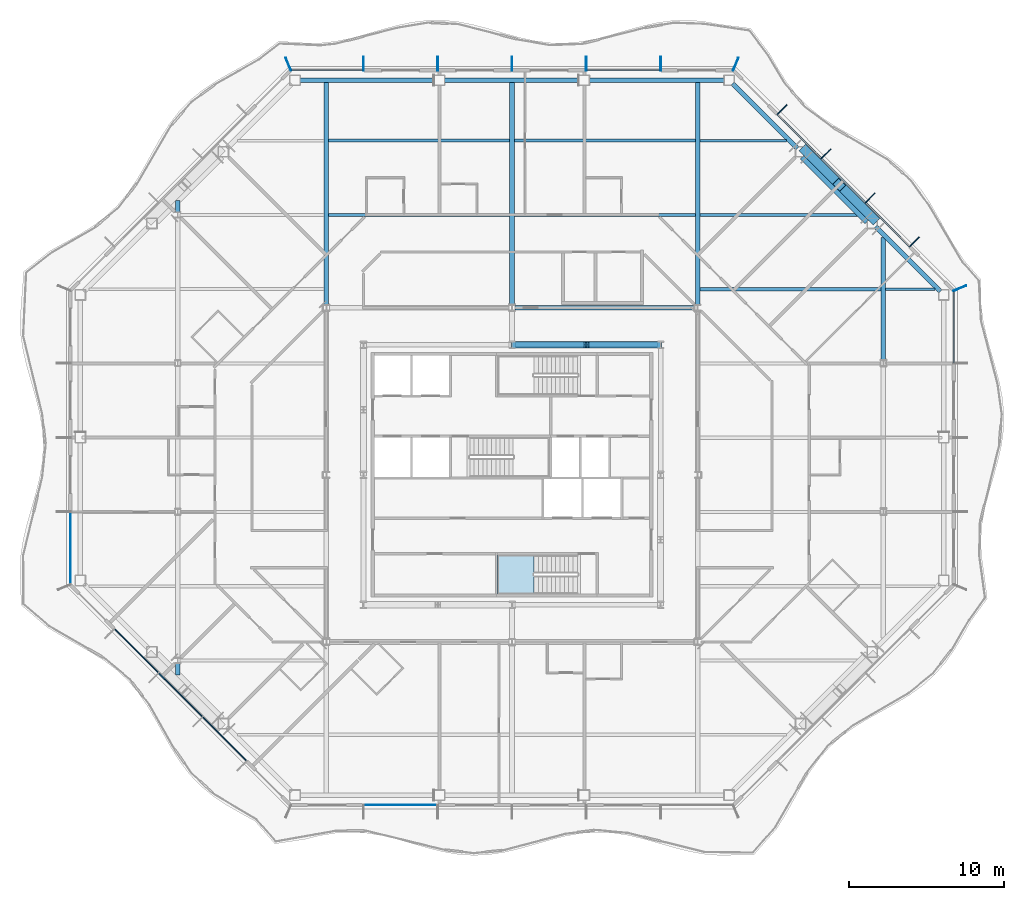
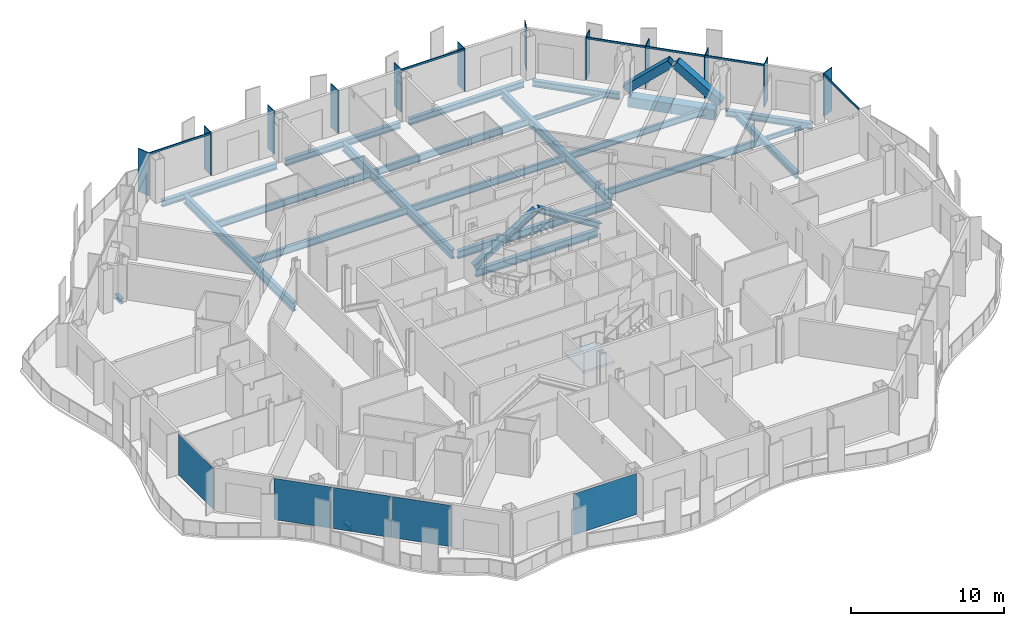
# One storey, part 5 of 22: 23 beams, 22 members, 5 plates, 1 slab, 8 elements without a shape of their own.
"""IFC4 building model written with IfcOpenShell, lengths in metres."""

import ifcopenshell
import ifcopenshell.guid

model = None  # the IFC model being written
_history = None  # IfcOwnerHistory: only IFC2X3 demands one
_inside = {}  # id of a spatial element -> (the spatial element, [elements in it])
_under = {}  # id of a project, library or spatial element -> (it, [spatial elements below it])
_declared = {}  # id of a project -> (the project, [libraries it declares])
_typed = {}  # id of a type object -> (the type object, [elements of that type])
_made_of = {}  # id of a material, layer set ... -> (it, [elements and type objects made of it])


def new_model(schema):
    """Start an empty IFC model of exactly this schema.

    Asked for "IFC4X3", IfcOpenShell would pick the latest addendum, in which some entities
    have other attributes; the version numbers below select the first issue.
    IFC2X3 requires an IfcOwnerHistory on every rooted entity: one is made here for all.
    """
    global model, _history
    if schema == "IFC4X3":
        model = ifcopenshell.file(schema_version=(4, 3, 0, 0))
    else:
        model = ifcopenshell.file(schema=schema)
    _inside.clear()
    _under.clear()
    _declared.clear()
    _typed.clear()
    _made_of.clear()
    _history = None
    if model.schema == "IFC2X3":
        org = make("IfcOrganization", Name="unknown")
        user = make(
            "IfcPersonAndOrganization",
            ThePerson=make("IfcPerson", FamilyName="unknown"),
            TheOrganization=org,
        )
        app = make(
            "IfcApplication",
            ApplicationDeveloper=org,
            Version="unknown",
            ApplicationFullName="unknown",
            ApplicationIdentifier="unknown",
        )
        _history = make(
            "IfcOwnerHistory",
            OwningUser=user,
            OwningApplication=app,
            ChangeAction="ADDED",
            CreationDate=0,
        )
    return model


def make(cls, **values):
    """One entity of the class cls with the attributes given. An attribute that is None is left unset."""
    return model.create_entity(
        cls, **{name: value for name, value in values.items() if value is not None}
    )


def rooted(cls, **values):
    """An entity with a GlobalId (a new one), such as an element, a storey or a relation."""
    return make(cls, GlobalId=ifcopenshell.guid.new(), OwnerHistory=_history, **values)


def si_unit(unit_type, name, prefix=None):
    """IfcSIUnit, for example si_unit("LENGTHUNIT", "METRE", prefix="MILLI")."""
    return make("IfcSIUnit", UnitType=unit_type, Prefix=prefix, Name=name)


def assignment(units):
    """IfcUnitAssignment: the units of a project."""
    return None if units is None else make("IfcUnitAssignment", Units=units)


def point(xyz):
    """IfcCartesianPoint."""
    return None if xyz is None else make("IfcCartesianPoint", Coordinates=xyz)


def direction(xyz):
    """IfcDirection."""
    return None if xyz is None else make("IfcDirection", DirectionRatios=xyz)


def frame(location, z_axis=None, x_axis=None):
    """IfcAxis2Placement3D, a coordinate frame: its origin and axes. An axis left out is left unset."""
    return make(
        "IfcAxis2Placement3D",
        Location=point(location),
        Axis=direction(z_axis),
        RefDirection=direction(x_axis),
    )


def frame_2d(location, x_axis=None):
    """IfcAxis2Placement2D, a coordinate frame in the plane: its origin and x axis."""
    return make(
        "IfcAxis2Placement2D", Location=point(location), RefDirection=direction(x_axis)
    )


def origin():
    """The frame at (0, 0, 0) with its axes left unset."""
    return frame((0.0, 0.0, 0.0))


def origin_2d():
    """The frame at (0, 0) in the plane with its x axis left unset."""
    return frame_2d((0.0, 0.0))


def place(relative_to, where):
    """IfcLocalPlacement: puts the frame where relative to a parent placement (None: the world)."""
    return make(
        "IfcLocalPlacement", PlacementRelTo=relative_to, RelativePlacement=where
    )


def context(
    kind, dimensions, precision=None, world=None, true_north=None, identifier=None
):
    """IfcGeometricRepresentationContext, for example the 3D "Model" context."""
    return make(
        "IfcGeometricRepresentationContext",
        ContextIdentifier=identifier,
        ContextType=kind,
        CoordinateSpaceDimension=dimensions,
        Precision=precision,
        WorldCoordinateSystem=world,
        TrueNorth=true_north,
    )


def subcontext(parent, identifier, kind, view, scale=None):
    """IfcGeometricRepresentationSubContext, for example "Body" below "Model"."""
    return make(
        "IfcGeometricRepresentationSubContext",
        ContextIdentifier=identifier,
        ContextType=kind,
        ParentContext=parent,
        TargetScale=scale,
        TargetView=view,
    )


def project(units=None, contexts=None):
    """IfcProject with its units and contexts."""
    return rooted(
        "IfcProject",
        Name="project",
        RepresentationContexts=contexts,
        UnitsInContext=assignment(units),
    )


def spatial(cls, under=None, at=None, **own):
    """A site, building, storey or space (cls), placed at a placement, below another one or the project."""
    s = rooted(cls, ObjectPlacement=at, **own)
    if under is not None:
        _under.setdefault(under.id(), (under, []))[1].append(s)
    return s


def polyline(points):
    """IfcPolyline through the points."""
    return make("IfcPolyline", Points=[point(p) for p in points])


def profile(cls, at=None, kind="AREA", **sizes):
    """A parametric profile (cls). Its sizes go by their IFC names, for example OverallWidth=200.0."""
    return make(cls, ProfileType=kind, Position=at, **sizes)


def rectangle(**sizes):
    """IfcRectangleProfileDef."""
    return profile("IfcRectangleProfileDef", **sizes)


def hollow_rectangle(**sizes):
    """IfcRectangleHollowProfileDef."""
    return profile("IfcRectangleHollowProfileDef", **sizes)


def i_section(**sizes):
    """IfcIShapeProfileDef."""
    return profile("IfcIShapeProfileDef", **sizes)


def outline(outer, holes=None, kind="AREA"):
    """IfcArbitraryClosedProfileDef: a profile drawn as a closed curve; with holes, ...WithVoids."""
    if holes is None:
        return make("IfcArbitraryClosedProfileDef", ProfileType=kind, OuterCurve=outer)
    return make(
        "IfcArbitraryProfileDefWithVoids",
        ProfileType=kind,
        OuterCurve=outer,
        InnerCurves=holes,
    )


def extrude(swept, where, along, depth):
    """IfcExtrudedAreaSolid: the profile swept, set in the frame where, extruded along a direction by depth."""
    return make(
        "IfcExtrudedAreaSolid",
        SweptArea=swept,
        Position=where,
        ExtrudedDirection=direction(along),
        Depth=depth,
    )


def shape(context_of_items, identifier, shape_type, items):
    """IfcShapeRepresentation: the items that make up one representation, for example the "Body"."""
    return make(
        "IfcShapeRepresentation",
        ContextOfItems=context_of_items,
        RepresentationIdentifier=identifier,
        RepresentationType=shape_type,
        Items=items,
    )


def material(Name=None, Category=None):
    """IfcMaterial."""
    return make("IfcMaterial", Name=Name, Category=Category)


def layer(
    of_material, thickness, ventilated=None, Name=None, Category=None, Priority=None
):
    """IfcMaterialLayer: one layer of a wall or slab, of a material (None: an air gap)."""
    return make(
        "IfcMaterialLayer",
        Material=of_material,
        LayerThickness=thickness,
        IsVentilated=ventilated,
        Name=Name,
        Category=Category,
        Priority=Priority,
    )


def layer_set(layers, Name=None):
    """IfcMaterialLayerSet."""
    return make("IfcMaterialLayerSet", MaterialLayers=layers, LayerSetName=Name)


def material_profile(
    of_material, cross_section, Name=None, Category=None, Priority=None
):
    """IfcMaterialProfile: a cross section and its material."""
    return make(
        "IfcMaterialProfile",
        Name=Name,
        Material=of_material,
        Profile=cross_section,
        Priority=Priority,
        Category=Category,
    )


def profile_set(profiles, Name=None, composite=None):
    """IfcMaterialProfileSet."""
    return make(
        "IfcMaterialProfileSet",
        Name=Name,
        MaterialProfiles=profiles,
        CompositeProfile=composite,
    )


def made_of(thing, what):
    """Note that an element or type object is made of a material, layer set ...; save() writes the relation."""
    if what is not None:
        _made_of.setdefault(what.id(), (what, []))[1].append(thing)
    return thing


def type_object(cls, material=None, **own):
    """A type object (cls), such as IfcWallType, which elements share."""
    return made_of(rooted(cls, **own), material)


def element(
    cls,
    number,
    at=None,
    inside=None,
    cuts=None,
    type_object=None,
    material=None,
    context=None,
    identifier="Body",
    shape_type=None,
    held_by="IfcProductDefinitionShape",
    body=None,
    shapes=None,
    **own,
):
    """One element of the class cls, such as IfcWall. Its Tag is "e" and its number.

    at: its placement. inside: the storey or other place that contains it. cuts: it is an
    opening in that element (IfcRelVoidsElement). A single representation is given by context,
    identifier, shape_type and body (its items); several are given by shapes. held_by: the class
    of the entity that holds the representations. save() writes the other relations.
    """
    e = rooted(cls, Tag="e%d" % number, ObjectPlacement=at, **own)
    if body is not None:
        shapes = [shape(context, identifier, shape_type, body)]
    if shapes is not None:
        e.Representation = make(held_by, Representations=shapes)
    if inside is not None:
        _inside.setdefault(inside.id(), (inside, []))[1].append(e)
    if cuts is not None:
        rooted(
            "IfcRelVoidsElement", RelatingBuildingElement=cuts, RelatedOpeningElement=e
        )
    if type_object is not None:
        _typed.setdefault(type_object.id(), (type_object, []))[1].append(e)
    return made_of(e, material)


def aggregate(whole, parts):
    """IfcRelAggregates: a whole, such as a stair, and the parts it consists of."""
    return rooted("IfcRelAggregates", RelatingObject=whole, RelatedObjects=parts)


def save(model, path):
    """Write the relations noted so far, then the file.

    IfcRelAggregates (storeys below a building ...), IfcRelContainedInSpatialStructure (elements
    in a storey), IfcRelDefinesByType, IfcRelAssociatesMaterial and IfcRelDeclares: one each for
    every whole, place, type object, material and project.
    """
    for whole, parts in _under.values():
        aggregate(whole, parts)
    for where, things in _inside.values():
        rooted(
            "IfcRelContainedInSpatialStructure",
            RelatedElements=things,
            RelatingStructure=where,
        )
    for kind, things in _typed.values():
        rooted("IfcRelDefinesByType", RelatedObjects=things, RelatingType=kind)
    for what, things in _made_of.values():
        rooted("IfcRelAssociatesMaterial", RelatedObjects=things, RelatingMaterial=what)
    for by, libraries in _declared.values():
        rooted("IfcRelDeclares", RelatingContext=by, RelatedDefinitions=libraries)
    model.write(path)


model = new_model("IFC4")

# Units and contexts
model_context = context("Model", 3, precision=1e-05, world=origin(), true_north=direction((0.0, 1.0)))
body_context = subcontext(model_context, "Body", "Model", "MODEL_VIEW")
ifc_project = project(units=[si_unit("LENGTHUNIT", "METRE"), si_unit("AREAUNIT", "SQUARE_METRE"), si_unit("VOLUMEUNIT", "CUBIC_METRE"), si_unit("PLANEANGLEUNIT", "RADIAN"), si_unit("MASSUNIT", "GRAM", prefix="KILO")], contexts=[model_context])

# Site, building, storey
site_placement = place(None, origin())
site = spatial("IfcSite", under=ifc_project, at=site_placement, CompositionType="ELEMENT")
building_placement = place(site_placement, origin())
building = spatial("IfcBuilding", under=site, at=building_placement, Name="Cairn Pilgrim Tower", CompositionType="ELEMENT")
storey_placement = place(building_placement, frame((0.0, 0.0, 147.0)))
storey = spatial("IfcBuildingStorey", under=building, at=storey_placement, Name="L36", CompositionType="ELEMENT", Elevation=147.0)

# Members
ifc_material_1 = material(Name="Structural steel S460M", Category="steel")
ifc_material_profile_1 = material_profile(ifc_material_1, hollow_rectangle(XDim=0.60009765625, YDim=0.60009765625, WallThickness=0.034912109375, at=origin_2d()), Name="BOX 600x600x35")
ifc_profile_set_1 = profile_set([ifc_material_profile_1], Name="Structural steel S460M")
member_type_1 = type_object("IfcMemberType", Name="BOX 600x600x35 BRACE", PredefinedType="BRACE", material=ifc_profile_set_1)
member_1_placement = place(storey_placement, frame((30.613525390625, 18.888427734375, 0.14990234375), z_axis=(-0.53553019501, 0.53553019501, 0.653004456696), x_axis=(-0.707106781187, -0.707106781187, 0.0)))
element("IfcMember", 1, at=member_1_placement, inside=storey, type_object=member_type_1, Name="XB-NE2-NE3-1", PredefinedType="BRACE", context=body_context, shape_type="SweptSolid", body=[
    extrude(hollow_rectangle(XDim=0.60009765625, YDim=0.60009765625, WallThickness=0.034912109375, at=origin_2d()), origin(), (0.0, 0.0, 1.0), 4.035888671875),
])
member_2_placement = place(storey_placement, frame((26.08837890625, 23.41357421875, 0.14990234375), z_axis=(0.535573335815, -0.535512846393, 0.652983302476), x_axis=(0.707066846316, 0.707146713802, 0.0)))
element("IfcMember", 2, at=member_2_placement, inside=storey, type_object=member_type_1, Name="XB-NE2-NE3-2", PredefinedType="BRACE", context=body_context, shape_type="SweptSolid", body=[
    extrude(hollow_rectangle(XDim=0.60009765625, YDim=0.60009765625, WallThickness=0.034912109375, at=origin_2d()), origin(), (0.0, 0.0, 1.0), 4.0361328125),
])

# Beams
ifc_material_2 = material(Name="Structural steel S355J2", Category="steel")
ifc_material_profile_2 = material_profile(ifc_material_2, hollow_rectangle(XDim=0.699951171875, YDim=0.800048828125, WallThickness=0.0400390625, at=origin_2d()), Name="BOX 700x800x40")
ifc_profile_set_2 = profile_set([ifc_material_profile_2], Name="Structural steel S355J2")
beam_type_1 = type_object("IfcBeamType", Name="BOX 700x800x40 RING GIRDER", PredefinedType="SPANDREL", material=ifc_profile_set_2)
for number, where, z_axis, x_axis, name in (
    (3, (30.2529296875, 18.874267578125, -0.550048828125), (-0.707106781187, 0.707106781187, 0.0), (-0.707106781187, -0.707106781187, 0.0), "RG2-NE2-NE3-1"),
    (4, (28.16357421875, 20.963623046875, -0.550048828125), (-0.707106781187, 0.707106781187, 0.0), (-0.707106781187, -0.707106781187, 0.0), "RG2-NE2-NE3-2"),
):
    element("IfcBeam", number, at=place(storey_placement, frame(where, z_axis=z_axis, x_axis=x_axis)), inside=storey, type_object=beam_type_1, Name=name, PredefinedType="SPANDREL", context=body_context, shape_type="SweptSolid", body=[
        extrude(hollow_rectangle(XDim=0.699951171875, YDim=0.800048828125, WallThickness=0.0400390625, at=origin_2d()), origin(), (0.0, 0.0, 1.0), 2.954833984375),
    ])

# Curtain wall, members
ifc_material_3 = material(Name="Aluminium alloy 6063-T6 bronze anodised with Bronze tinted laminated low-E glass 8+16+8.8", Category="aluminium")
curtain_wall_type_1 = type_object("IfcCurtainWallType", Name="CHAMFER CORNER CURTAIN WALL", PredefinedType="NOTDEFINED", material=ifc_material_3)
curtain_wall_1_placement = place(storey_placement, origin())
curtain_wall_1 = element("IfcCurtainWall", 5, at=curtain_wall_1_placement, inside=storey, type_object=curtain_wall_type_1, Name="Chamfer Corner Curtain Wall NE", PredefinedType="NOTDEFINED")
ifc_material_4 = material(Name="Aluminium alloy 6063-T6 bronze anodised", Category="aluminium")
ifc_material_profile_3 = material_profile(ifc_material_4, rectangle(XDim=0.89990234375, YDim=0.06005859375, at=origin_2d()), Name="FIN MULLION 60x900 BRONZE")
ifc_profile_set_3 = profile_set([ifc_material_profile_3], Name="Aluminium alloy 6063-T6 bronze anodised")
member_type_2 = type_object("IfcMemberType", Name="FIN MULLION 60x900 BRONZE", PredefinedType="MULLION", material=ifc_profile_set_3)
member_3_placement = place(storey_placement, frame((36.137939453125, 14.457275390625, 0.0), z_axis=(0.0, 0.0, 1.0), x_axis=(0.923879532511, 0.382683432365, 0.0)))
member_3 = element("IfcMember", 6, at=member_3_placement, type_object=member_type_2, Name="Fin mullion NE1", PredefinedType="MULLION", context=body_context, shape_type="SweptSolid", body=[
    extrude(rectangle(XDim=0.89990234375, YDim=0.06005859375, at=origin_2d()), origin(), (0.0, 0.0, 1.0), 3.449951171875),
])
member_4_placement = place(storey_placement, frame((33.1962890625, 17.444091796875, 0.0), z_axis=(0.0, 0.0, 1.0), x_axis=(0.707106781187, 0.707106781187, 0.0)))
member_4 = element("IfcMember", 7, at=member_4_placement, type_object=member_type_2, Name="Fin mullion NE2", PredefinedType="MULLION", context=body_context, shape_type="SweptSolid", body=[
    extrude(rectangle(XDim=0.89990234375, YDim=0.06005859375, at=origin_2d()), origin(), (0.0, 0.0, 1.0), 3.449951171875),
])
member_5_placement = place(storey_placement, frame((30.345458984375, 20.294921875, 0.0), z_axis=(0.0, 0.0, 1.0), x_axis=(0.707106781187, 0.707106781187, 0.0)))
member_5 = element("IfcMember", 8, at=member_5_placement, type_object=member_type_2, Name="Fin mullion NE3", PredefinedType="MULLION", context=body_context, shape_type="SweptSolid", body=[
    extrude(rectangle(XDim=0.89990234375, YDim=0.06005859375, at=origin_2d()), origin(), (0.0, 0.0, 1.0), 3.449951171875),
])
member_6_placement = place(storey_placement, frame((27.494873046875, 23.1455078125, 0.0), z_axis=(0.0, 0.0, 1.0), x_axis=(0.707106781187, 0.707106781187, 0.0)))
member_6 = element("IfcMember", 9, at=member_6_placement, type_object=member_type_2, Name="Fin mullion NE4", PredefinedType="MULLION", context=body_context, shape_type="SweptSolid", body=[
    extrude(rectangle(XDim=0.89990234375, YDim=0.06005859375, at=origin_2d()), origin(), (0.0, 0.0, 1.0), 3.449951171875),
])
member_7_placement = place(storey_placement, frame((24.64404296875, 25.996337890625, 0.0), z_axis=(0.0, 0.0, 1.0), x_axis=(0.707106781187, 0.707106781187, 0.0)))
member_7 = element("IfcMember", 10, at=member_7_placement, type_object=member_type_2, Name="Fin mullion NE5", PredefinedType="MULLION", context=body_context, shape_type="SweptSolid", body=[
    extrude(rectangle(XDim=0.89990234375, YDim=0.06005859375, at=origin_2d()), origin(), (0.0, 0.0, 1.0), 3.449951171875),
])

curtain_wall_type_2 = type_object("IfcCurtainWallType", Name="TOWER STICK CURTAIN WALL NS", PredefinedType="NOTDEFINED", material=ifc_material_3)
curtain_wall_2_placement = place(storey_placement, origin())
curtain_wall_2 = element("IfcCurtainWall", 11, at=curtain_wall_2_placement, inside=storey, type_object=curtain_wall_type_2, Name="Tower Stick Curtain Wall Ns N", PredefinedType="NOTDEFINED")
member_8_placement = place(storey_placement, frame((21.6572265625, 28.93798828125, 0.0), z_axis=(0.0, 0.0, 1.0), x_axis=(0.382683432365, 0.923879532511, 0.0)))
member_8 = element("IfcMember", 12, at=member_8_placement, type_object=member_type_2, Name="Fin mullion N1", PredefinedType="MULLION", context=body_context, shape_type="SweptSolid", body=[
    extrude(rectangle(XDim=0.89990234375, YDim=0.06005859375, at=origin_2d()), origin(), (0.0, 0.0, 1.0), 3.449951171875),
])
member_9_placement = place(storey_placement, frame((16.800048828125, 28.969970703125, 0.0), z_axis=(0.0, 0.0, 1.0), x_axis=(0.0, 1.0, 0.0)))
member_9 = element("IfcMember", 13, at=member_9_placement, type_object=member_type_2, Name="Fin mullion N2", PredefinedType="MULLION", context=body_context, shape_type="SweptSolid", body=[
    extrude(rectangle(XDim=0.89990234375, YDim=0.06005859375, at=origin_2d()), origin(), (0.0, 0.0, 1.0), 3.449951171875),
])
member_10_placement = place(storey_placement, frame((12.0, 28.969970703125, 0.0), z_axis=(0.0, 0.0, 1.0), x_axis=(0.0, 1.0, 0.0)))
member_10 = element("IfcMember", 14, at=member_10_placement, type_object=member_type_2, Name="Fin mullion N3", PredefinedType="MULLION", context=body_context, shape_type="SweptSolid", body=[
    extrude(rectangle(XDim=0.89990234375, YDim=0.06005859375, at=origin_2d()), origin(), (0.0, 0.0, 1.0), 3.449951171875),
])
member_11_placement = place(storey_placement, frame((7.199951171875, 28.969970703125, 0.0), z_axis=(0.0, 0.0, 1.0), x_axis=(0.0, 1.0, 0.0)))
member_11 = element("IfcMember", 15, at=member_11_placement, type_object=member_type_2, Name="Fin mullion N4", PredefinedType="MULLION", context=body_context, shape_type="SweptSolid", body=[
    extrude(rectangle(XDim=0.89990234375, YDim=0.06005859375, at=origin_2d()), origin(), (0.0, 0.0, 1.0), 3.449951171875),
])
member_12_placement = place(storey_placement, frame((2.39990234375, 28.969970703125, 0.0), z_axis=(0.0, 0.0, 1.0), x_axis=(0.0, 1.0, 0.0)))
member_12 = element("IfcMember", 16, at=member_12_placement, type_object=member_type_2, Name="Fin mullion N5", PredefinedType="MULLION", context=body_context, shape_type="SweptSolid", body=[
    extrude(rectangle(XDim=0.89990234375, YDim=0.06005859375, at=origin_2d()), origin(), (0.0, 0.0, 1.0), 3.449951171875),
])
member_13_placement = place(storey_placement, frame((-2.39990234375, 28.969970703125, 0.0), z_axis=(0.0, 0.0, 1.0), x_axis=(0.0, 1.0, 0.0)))
member_13 = element("IfcMember", 17, at=member_13_placement, type_object=member_type_2, Name="Fin mullion N6", PredefinedType="MULLION", context=body_context, shape_type="SweptSolid", body=[
    extrude(rectangle(XDim=0.89990234375, YDim=0.06005859375, at=origin_2d()), origin(), (0.0, 0.0, 1.0), 3.449951171875),
])

# Curtain wall, member
curtain_wall_3_placement = place(storey_placement, origin())
curtain_wall_3 = element("IfcCurtainWall", 18, at=curtain_wall_3_placement, inside=storey, type_object=curtain_wall_type_1, Name="Chamfer Corner Curtain Wall NW", PredefinedType="NOTDEFINED")
member_14_placement = place(storey_placement, frame((-7.257080078125, 28.93798828125, 0.0), z_axis=(0.0, 0.0, 1.0), x_axis=(-0.382683432365, 0.923879532511, 0.0)))
member_14 = element("IfcMember", 19, at=member_14_placement, type_object=member_type_2, Name="Fin mullion NW1", PredefinedType="MULLION", context=body_context, shape_type="SweptSolid", body=[
    extrude(rectangle(XDim=0.89990234375, YDim=0.06005859375, at=origin_2d()), origin(), (0.0, 0.0, 1.0), 3.449951171875),
])
aggregate(curtain_wall_3, [member_14])

# Members
ifc_material_profile_4 = material_profile(ifc_material_1, i_section(OverallWidth=0.408935546875, OverallDepth=0.425048828125, WebThickness=0.03271484375, FlangeThickness=0.052490234375, FilletRadius=0.014892578125, at=origin_2d()), Name="HD 400x421")
ifc_profile_set_4 = profile_set([ifc_material_profile_4], Name="Structural steel S460M")
member_type_3 = type_object("IfcMemberType", Name="HD 400x421 BRACE", PredefinedType="BRACE", material=ifc_profile_set_4)
for number, where, z_axis, x_axis, name in (
    (20, (16.757568359375, 10.800048828125, 0.10009765625), (-0.85108304523, 0.0, 0.525031094434), (0.0, -1.0, 0.0), "KB-3A"),
    (21, (7.242431640625, 10.800048828125, 0.10009765625), (0.85108304523, 0.0, 0.525031094434), (0.0, 1.0, 0.0), "KB-3B"),
):
    element("IfcMember", number, at=place(storey_placement, frame(where, z_axis=z_axis, x_axis=x_axis)), inside=storey, type_object=member_type_3, Name=name, PredefinedType="BRACE", context=body_context, shape_type="SweptSolid", body=[
        extrude(i_section(OverallWidth=0.408935546875, OverallDepth=0.425048828125, WebThickness=0.03271484375, FlangeThickness=0.052490234375, FilletRadius=0.014892578125, at=origin_2d()), origin(), (0.0, 0.0, 1.0), 5.527587890625),
    ])

# Beams
ifc_material_profile_5 = material_profile(ifc_material_2, i_section(OverallWidth=0.300048828125, OverallDepth=0.39990234375, WebThickness=0.013427734375, FlangeThickness=0.02392578125, FilletRadius=0.027099609375, at=origin_2d()), Name="HEB 400")
ifc_profile_set_5 = profile_set([ifc_material_profile_5], Name="Structural steel S355J2")
beam_type_2 = type_object("IfcBeamType", Name="HEB 400 GIRDER", PredefinedType="BEAM", material=ifc_profile_set_5)
for number, where, z_axis, x_axis, name in (
    (22, (-14.39990234375, -10.545166015625, -0.35009765625), (0.0, 1.0, 0.0), (-1.0, 0.0, 0.0), "PG1-E1"),
    (23, (-14.39990234375, 19.3994140625, -0.35009765625), (0.0, 1.0, 0.0), (-1.0, 0.0, 0.0), "PG1-E2"),
):
    element("IfcBeam", number, at=place(storey_placement, frame(where, z_axis=z_axis, x_axis=x_axis)), inside=storey, type_object=beam_type_2, Name=name, PredefinedType="BEAM", context=body_context, shape_type="SweptSolid", body=[
        extrude(i_section(OverallWidth=0.300048828125, OverallDepth=0.39990234375, WebThickness=0.013427734375, FlangeThickness=0.02392578125, FilletRadius=0.027099609375, at=origin_2d()), origin(), (0.0, 0.0, 1.0), 0.74560546875),
    ])
ifc_material_profile_6 = material_profile(ifc_material_2, i_section(OverallWidth=0.300048828125, OverallDepth=0.5, WebThickness=0.014404296875, FlangeThickness=0.028076171875, FilletRadius=0.027099609375, at=origin_2d()), Name="HEB 500")
ifc_profile_set_6 = profile_set([ifc_material_profile_6], Name="Structural steel S355J2")
beam_type_3 = type_object("IfcBeamType", Name="HEB 500 GIRDER", PredefinedType="BEAM", material=ifc_profile_set_6)
beam_1_placement = place(storey_placement, frame((31.199951171875, 9.804443359375, -0.39990234375), z_axis=(0.0, 1.0, 0.0), x_axis=(-1.0, 0.0, 0.0)))
element("IfcBeam", 24, at=beam_1_placement, inside=storey, type_object=beam_type_3, Name="PG5-3", PredefinedType="BEAM", context=body_context, shape_type="SweptSolid", body=[
    extrude(i_section(OverallWidth=0.300048828125, OverallDepth=0.5, WebThickness=0.014404296875, FlangeThickness=0.028076171875, FilletRadius=0.027099609375, at=origin_2d()), origin(), (0.0, 0.0, 1.0), 7.940673828125),
])
ifc_material_profile_7 = material_profile(ifc_material_2, i_section(OverallWidth=0.300048828125, OverallDepth=0.5, WebThickness=0.014404296875, FlangeThickness=0.028076171875, FilletRadius=0.027099609375, at=origin_2d()), Name="HEB 500")
ifc_profile_set_7 = profile_set([ifc_material_profile_7], Name="Structural steel S355J2")
beam_type_4 = type_object("IfcBeamType", Name="HEB 500 RING GIRDER", PredefinedType="SPANDREL", material=ifc_profile_set_7)
for number, where, z_axis, x_axis, name in (
    (25, (34.877197265625, 14.25, -0.39990234375), (-0.707106781187, 0.707106781187, 0.0), (-0.707106781187, -0.707106781187, 0.0), "RG2-NE1-NE2"),
    (26, (25.628662109375, 23.49853515625, -0.39990234375), (-0.707106781187, 0.707106781187, 0.0), (-0.707106781187, -0.707106781187, 0.0), "RG2-NE3-N1"),
):
    element("IfcBeam", number, at=place(storey_placement, frame(where, z_axis=z_axis, x_axis=x_axis)), inside=storey, type_object=beam_type_4, Name=name, PredefinedType="SPANDREL", context=body_context, shape_type="SweptSolid", body=[
        extrude(i_section(OverallWidth=0.300048828125, OverallDepth=0.5, WebThickness=0.014404296875, FlangeThickness=0.028076171875, FilletRadius=0.027099609375, at=origin_2d()), origin(), (0.0, 0.0, 1.0), 5.90966796875),
    ])
for number, where, z_axis, x_axis, name in (
    (27, (20.912109375, 27.89990234375, -0.39990234375), (-1.0, 0.0, 0.0), (0.0, -1.0, 0.0), "RG2-N1-N2"),
    (28, (11.560791015625, 27.89990234375, -0.39990234375), (-1.0, 0.0, 0.0), (0.0, -1.0, 0.0), "RG2-N2-N3"),
    (29, (2.209228515625, 27.89990234375, -0.39990234375), (-1.0, 0.0, 0.0), (0.0, -1.0, 0.0), "RG2-N3-NW1"),
):
    element("IfcBeam", number, at=place(storey_placement, frame(where, z_axis=z_axis, x_axis=x_axis)), inside=storey, type_object=beam_type_4, Name=name, PredefinedType="SPANDREL", context=body_context, shape_type="SweptSolid", body=[
        extrude(i_section(OverallWidth=0.300048828125, OverallDepth=0.5, WebThickness=0.014404296875, FlangeThickness=0.028076171875, FilletRadius=0.027099609375, at=origin_2d()), origin(), (0.0, 0.0, 1.0), 8.721435546875),
    ])
ifc_material_profile_8 = material_profile(ifc_material_2, i_section(OverallWidth=0.300048828125, OverallDepth=0.60009765625, WebThickness=0.015380859375, FlangeThickness=0.030029296875, FilletRadius=0.027099609375, at=origin_2d()), Name="HEB 600")
ifc_profile_set_8 = profile_set([ifc_material_profile_8], Name="Structural steel S355J2")
beam_type_5 = type_object("IfcBeamType", Name="HEB 600 CORE BEAM", PredefinedType="BEAM", material=ifc_profile_set_8)
beam_2_placement = place(storey_placement, frame((16.609130859375, 10.800048828125, -0.449951171875), z_axis=(-1.0, 0.0, 0.0), x_axis=(0.0, -1.0, 0.0)))
element("IfcBeam", 30, at=beam_2_placement, inside=storey, type_object=beam_type_5, Name="CB-5", PredefinedType="BEAM", context=body_context, shape_type="SweptSolid", body=[
    extrude(i_section(OverallWidth=0.300048828125, OverallDepth=0.60009765625, WebThickness=0.015380859375, FlangeThickness=0.030029296875, FilletRadius=0.027099609375, at=origin_2d()), origin(), (0.0, 0.0, 1.0), 9.21826171875),
])
ifc_material_profile_9 = material_profile(ifc_material_2, i_section(OverallWidth=0.300048828125, OverallDepth=0.60009765625, WebThickness=0.015380859375, FlangeThickness=0.030029296875, FilletRadius=0.027099609375, at=origin_2d()), Name="HEB 600")
ifc_profile_set_9 = profile_set([ifc_material_profile_9], Name="Structural steel S355J2")
beam_type_6 = type_object("IfcBeamType", Name="HEB 600 INNER GIRDER", PredefinedType="BEAM", material=ifc_profile_set_9)
beam_3_placement = place(storey_placement, frame((7.404541015625, 13.199951171875, -0.449951171875), z_axis=(1.0, 0.0, 0.0), x_axis=(0.0, 1.0, 0.0)))
element("IfcBeam", 31, at=beam_3_placement, inside=storey, type_object=beam_type_6, Name="IG2-2", PredefinedType="BEAM", context=body_context, shape_type="SweptSolid", body=[
    extrude(i_section(OverallWidth=0.300048828125, OverallDepth=0.60009765625, WebThickness=0.015380859375, FlangeThickness=0.030029296875, FilletRadius=0.027099609375, at=origin_2d()), origin(), (0.0, 0.0, 1.0), 11.591064453125),
])
ifc_material_profile_10 = material_profile(ifc_material_2, i_section(OverallWidth=0.300048828125, OverallDepth=0.699951171875, WebThickness=0.01708984375, FlangeThickness=0.031982421875, FilletRadius=0.027099609375, at=origin_2d()), Name="HEB 700")
ifc_profile_set_10 = profile_set([ifc_material_profile_10], Name="Structural steel S355J2")
beam_type_7 = type_object("IfcBeamType", Name="HEB 700 GIRDER", PredefinedType="BEAM", material=ifc_profile_set_10)
for number, where, z_axis, x_axis, name in (
    (32, (-4.800048828125, 13.404541015625, -0.5), (0.0, 1.0, 0.0), (-1.0, 0.0, 0.0), "PG2-4"),
    (33, (7.199951171875, 13.404541015625, -0.5), (0.0, 1.0, 0.0), (-1.0, 0.0, 0.0), "PG3-2"),
    (34, (19.199951171875, 13.404541015625, -0.5), (0.0, 1.0, 0.0), (-1.0, 0.0, 0.0), "PG4-4"),
):
    element("IfcBeam", number, at=place(storey_placement, frame(where, z_axis=z_axis, x_axis=x_axis)), inside=storey, type_object=beam_type_7, Name=name, PredefinedType="BEAM", context=body_context, shape_type="SweptSolid", body=[
        extrude(i_section(OverallWidth=0.300048828125, OverallDepth=0.699951171875, WebThickness=0.01708984375, FlangeThickness=0.031982421875, FilletRadius=0.027099609375, at=origin_2d()), origin(), (0.0, 0.0, 1.0), 14.37548828125),
    ])
ifc_material_profile_11 = material_profile(ifc_material_2, i_section(OverallWidth=0.169921875, OverallDepth=0.360107421875, WebThickness=0.008056640625, FlangeThickness=0.0126953125, FilletRadius=0.01806640625, at=origin_2d()), Name="IPE 360")
ifc_profile_set_11 = profile_set([ifc_material_profile_11], Name="Structural steel S355J2")
beam_type_8 = type_object("IfcBeamType", Name="IPE 360 SECONDARY BEAM", PredefinedType="JOIST", material=ifc_profile_set_11)
beam_4_placement = place(storey_placement, frame((31.35009765625, 14.39990234375, -0.330078125), z_axis=(1.0, 0.0, 0.0), x_axis=(0.0, 1.0, 0.0)))
element("IfcBeam", 35, at=beam_4_placement, inside=storey, type_object=beam_type_8, Name="SB7-4", PredefinedType="JOIST", context=body_context, shape_type="SweptSolid", body=[
    extrude(i_section(OverallWidth=0.169921875, OverallDepth=0.360107421875, WebThickness=0.008056640625, FlangeThickness=0.0126953125, FilletRadius=0.01806640625, at=origin_2d()), origin(), (0.0, 0.0, 1.0), 3.195068359375),
])
beam_5_placement = place(storey_placement, frame((19.35009765625, 24.0, -0.330078125), z_axis=(1.0, 0.0, 0.0), x_axis=(0.0, 1.0, 0.0)))
element("IfcBeam", 36, at=beam_5_placement, inside=storey, type_object=beam_type_8, Name="SB9-4", PredefinedType="JOIST", context=body_context, shape_type="SweptSolid", body=[
    extrude(i_section(OverallWidth=0.169921875, OverallDepth=0.360107421875, WebThickness=0.008056640625, FlangeThickness=0.0126953125, FilletRadius=0.01806640625, at=origin_2d()), origin(), (0.0, 0.0, 1.0), 5.594970703125),
])
ifc_material_profile_12 = material_profile(ifc_material_2, i_section(OverallWidth=0.199951171875, OverallDepth=0.5, WebThickness=0.01025390625, FlangeThickness=0.01611328125, FilletRadius=0.02099609375, at=origin_2d()), Name="IPE 500")
ifc_profile_set_12 = profile_set([ifc_material_profile_12], Name="Structural steel S355J2")
beam_type_9 = type_object("IfcBeamType", Name="IPE 500 SECONDARY BEAM", PredefinedType="JOIST", material=ifc_profile_set_12)
beam_6_placement = place(storey_placement, frame((19.35009765625, 19.199951171875, -0.39990234375), z_axis=(1.0, 0.0, 0.0), x_axis=(0.0, 1.0, 0.0)))
element("IfcBeam", 37, at=beam_6_placement, inside=storey, type_object=beam_type_9, Name="SB8-4", PredefinedType="JOIST", context=body_context, shape_type="SweptSolid", body=[
    extrude(i_section(OverallWidth=0.199951171875, OverallDepth=0.5, WebThickness=0.01025390625, FlangeThickness=0.01611328125, FilletRadius=0.02099609375, at=origin_2d()), origin(), (0.0, 0.0, 1.0), 10.39501953125),
])
ifc_material_profile_13 = material_profile(ifc_material_2, i_section(OverallWidth=0.2099609375, OverallDepth=0.550048828125, WebThickness=0.010986328125, FlangeThickness=0.01708984375, FilletRadius=0.02392578125, at=origin_2d()), Name="IPE 550")
ifc_profile_set_13 = profile_set([ifc_material_profile_13], Name="Structural steel S355J2")
beam_type_10 = type_object("IfcBeamType", Name="IPE 550 SECONDARY BEAM", PredefinedType="JOIST", material=ifc_profile_set_13)
for number, where, z_axis, x_axis, name in (
    (38, (19.35009765625, 14.39990234375, -0.425048828125), (1.0, 0.0, 0.0), (0.0, 1.0, 0.0), "SB7-3"),
    (39, (-4.64990234375, 19.199951171875, -0.425048828125), (1.0, 0.0, 0.0), (0.0, 1.0, 0.0), "SB8-2"),
    (40, (7.35009765625, 19.199951171875, -0.425048828125), (1.0, 0.0, 0.0), (0.0, 1.0, 0.0), "SB8-3"),
    (41, (-4.64990234375, 24.0, -0.425048828125), (1.0, 0.0, 0.0), (0.0, 1.0, 0.0), "SB9-2"),
    (42, (7.35009765625, 24.0, -0.425048828125), (1.0, 0.0, 0.0), (0.0, 1.0, 0.0), "SB9-3"),
):
    element("IfcBeam", number, at=place(storey_placement, frame(where, z_axis=z_axis, x_axis=x_axis)), inside=storey, type_object=beam_type_10, Name=name, PredefinedType="JOIST", context=body_context, shape_type="SweptSolid", body=[
        extrude(i_section(OverallWidth=0.2099609375, OverallDepth=0.550048828125, WebThickness=0.010986328125, FlangeThickness=0.01708984375, FilletRadius=0.02392578125, at=origin_2d()), origin(), (0.0, 0.0, 1.0), 11.699951171875),
    ])

# Curtain wall, member
curtain_wall_type_3 = type_object("IfcCurtainWallType", Name="TOWER STICK CURTAIN WALL EW", PredefinedType="NOTDEFINED", material=ifc_material_3)
curtain_wall_4_placement = place(storey_placement, origin())
curtain_wall_4 = element("IfcCurtainWall", 43, at=curtain_wall_4_placement, inside=storey, type_object=curtain_wall_type_3, Name="Tower Stick Curtain Wall Ew E", PredefinedType="NOTDEFINED")
ifc_material_profile_14 = material_profile(ifc_material_4, rectangle(XDim=0.080078125, YDim=0.14990234375, at=origin_2d()), Name="TRANSOM 80x150 BRONZE")
ifc_profile_set_14 = profile_set([ifc_material_profile_14], Name="Aluminium alloy 6063-T6 bronze anodised")
member_type_4 = type_object("IfcMemberType", Name="TRANSOM 80x150 BRONZE", PredefinedType="USERDEFINED", material=ifc_profile_set_14)
member_15_placement = place(storey_placement, frame((35.75, 9.6298828125, 3.375), z_axis=(0.0, 1.0, 0.0), x_axis=(-1.0, 0.0, 0.0)))
member_15 = element("IfcMember", 44, at=member_15_placement, type_object=member_type_4, Name="Transom E4", ObjectType="TRANSOM", PredefinedType="USERDEFINED", context=body_context, shape_type="SweptSolid", body=[
    extrude(rectangle(XDim=0.080078125, YDim=0.14990234375, at=origin_2d()), origin(), (0.0, 0.0, 1.0), 4.62646484375),
])
aggregate(curtain_wall_4, [member_15])

# Member
member_16_placement = place(storey_placement, frame((32.878173828125, 17.16845703125, 3.375), z_axis=(-0.70713751761, 0.707076043427, 0.0), x_axis=(-0.707076043427, -0.70713751761, 0.0)))
member_16 = element("IfcMember", 45, at=member_16_placement, type_object=member_type_4, Name="Transom NE2", ObjectType="TRANSOM", PredefinedType="USERDEFINED", context=body_context, shape_type="SweptSolid", body=[
    extrude(rectangle(XDim=0.080078125, YDim=0.14990234375, at=origin_2d()), origin(), (0.0, 0.0, 1.0), 3.971435546875),
])

member_17_placement = place(storey_placement, frame((30.02734375, 20.01904296875, 3.375), z_axis=(-0.707106781187, 0.707106781187, 0.0), x_axis=(-0.707106781187, -0.707106781187, 0.0)))
member_17 = element("IfcMember", 46, at=member_17_placement, type_object=member_type_4, Name="Transom NE3", ObjectType="TRANSOM", PredefinedType="USERDEFINED", context=body_context, shape_type="SweptSolid", body=[
    extrude(rectangle(XDim=0.080078125, YDim=0.14990234375, at=origin_2d()), origin(), (0.0, 0.0, 1.0), 3.9716796875),
])

member_18_placement = place(storey_placement, frame((27.1767578125, 22.869873046875, 3.375), z_axis=(-0.70713751761, 0.707076043427, 0.0), x_axis=(-0.707076043427, -0.70713751761, 0.0)))
member_18 = element("IfcMember", 47, at=member_18_placement, type_object=member_type_4, Name="Transom NE4", ObjectType="TRANSOM", PredefinedType="USERDEFINED", context=body_context, shape_type="SweptSolid", body=[
    extrude(rectangle(XDim=0.080078125, YDim=0.14990234375, at=origin_2d()), origin(), (0.0, 0.0, 1.0), 3.971435546875),
])

aggregate(curtain_wall_1, [member_3, member_4, member_5, member_6, member_7, member_16, member_17, member_18])

member_19_placement = place(storey_placement, frame((16.77001953125, 28.550048828125, 3.375), z_axis=(-1.0, 0.0, 0.0), x_axis=(0.0, -1.0, 0.0)))
member_19 = element("IfcMember", 48, at=member_19_placement, type_object=member_type_4, Name="Transom N2", ObjectType="TRANSOM", PredefinedType="USERDEFINED", context=body_context, shape_type="SweptSolid", body=[
    extrude(rectangle(XDim=0.080078125, YDim=0.14990234375, at=origin_2d()), origin(), (0.0, 0.0, 1.0), 4.739990234375),
])

member_20_placement = place(storey_placement, frame((-2.429931640625, 28.550048828125, 3.375), z_axis=(-1.0, 0.0, 0.0), x_axis=(0.0, -1.0, 0.0)))
member_20 = element("IfcMember", 49, at=member_20_placement, type_object=member_type_4, Name="Transom N6", ObjectType="TRANSOM", PredefinedType="USERDEFINED", context=body_context, shape_type="SweptSolid", body=[
    extrude(rectangle(XDim=0.080078125, YDim=0.14990234375, at=origin_2d()), origin(), (0.0, 0.0, 1.0), 4.62646484375),
])

aggregate(curtain_wall_2, [member_8, member_9, member_10, member_11, member_12, member_13, member_19, member_20])

# Curtain wall, plates
curtain_wall_5_placement = place(storey_placement, origin())
curtain_wall_5 = element("IfcCurtainWall", 50, at=curtain_wall_5_placement, inside=storey, type_object=curtain_wall_type_1, Name="Chamfer Corner Curtain Wall SW", PredefinedType="NOTDEFINED")
ifc_material_5 = material(Name="Bronze anodised aluminium spandrel panel with mineral wool insulation", Category="aluminium")
ifc_layer_1 = layer(ifc_material_5, 0.06005859375)
ifc_layer_set_1 = layer_set([ifc_layer_1], Name="SPANDREL PANEL 3972x3300")
plate_type_1 = type_object("IfcPlateType", Name="SPANDREL PANEL 3972x3300", PredefinedType="CURTAIN_PANEL", material=ifc_layer_set_1)
plate_1_placement = place(storey_placement, frame((-17.073974609375, -8.972412109375, 0.0), z_axis=(0.0, 0.0, 1.0), x_axis=(0.707106781187, -0.707106781187, 0.0)))
plate_1 = element("IfcPlate", 51, at=plate_1_placement, type_object=plate_type_1, Name="Spandrel Panel SW2-1", PredefinedType="CURTAIN_PANEL", context=body_context, shape_type="SweptSolid", body=[
    extrude(rectangle(XDim=3.971435546875, YDim=0.06005859375, at=origin_2d()), origin(), (0.0, 0.0, 1.0), 3.300048828125),
])
plate_2_placement = place(storey_placement, frame((-14.22314453125, -11.8232421875, 0.0), z_axis=(0.0, 0.0, 1.0), x_axis=(0.707106781187, -0.707106781187, 0.0)))
plate_2 = element("IfcPlate", 52, at=plate_2_placement, type_object=plate_type_1, Name="Spandrel Panel SW3-1", PredefinedType="CURTAIN_PANEL", context=body_context, shape_type="SweptSolid", body=[
    extrude(rectangle(XDim=3.971435546875, YDim=0.06005859375, at=origin_2d()), origin(), (0.0, 0.0, 1.0), 3.300048828125),
])
plate_3_placement = place(storey_placement, frame((-11.37255859375, -14.673828125, 0.0), z_axis=(0.0, 0.0, 1.0), x_axis=(0.707106781187, -0.707106781187, 0.0)))
plate_3 = element("IfcPlate", 53, at=plate_3_placement, type_object=plate_type_1, Name="Spandrel Panel SW4-1", PredefinedType="CURTAIN_PANEL", context=body_context, shape_type="SweptSolid", body=[
    extrude(rectangle(XDim=3.971435546875, YDim=0.06005859375, at=origin_2d()), origin(), (0.0, 0.0, 1.0), 3.300048828125),
])
aggregate(curtain_wall_5, [plate_1, plate_2, plate_3])

# Stair, slab
ifc_material_6 = material(Name="Concrete C32/40", Category="concrete")
stair_type = type_object("IfcStairType", Name="EXIT STAIR 1200", PredefinedType="HALF_TURN_STAIR", material=ifc_material_6)
stair_placement = place(storey_placement, origin())
stair = element("IfcStair", 54, at=stair_placement, inside=storey, type_object=stair_type, Name="L36 Exit Stair A", PredefinedType="HALF_TURN_STAIR")
ifc_layer_2 = layer(ifc_material_6, 0.199951171875)
ifc_layer_set_2 = layer_set([ifc_layer_2], Name="STAIR LANDING 200")
slab_type = type_object("IfcSlabType", Name="STAIR LANDING 200", PredefinedType="LANDING", material=ifc_layer_set_2)
slab_placement = place(storey_placement, frame((0.0, 0.0, 1.60009765625)))
slab = element("IfcSlab", 55, at=slab_placement, type_object=slab_type, Name="ST-A landing 1", PredefinedType="LANDING", context=body_context, shape_type="SweptSolid", body=[
    extrude(outline(polyline([(8.625, -2.77490234375), (6.27490234375, -2.77490234375), (6.27490234375, -5.300048828125), (8.625, -5.300048828125), (8.625, -2.77490234375)])), origin(), (0.0, 0.0, 1.0), 0.199951171875),
])
aggregate(stair, [slab])

# Curtain wall, plate
curtain_wall_6_placement = place(storey_placement, origin())
curtain_wall_6 = element("IfcCurtainWall", 56, at=curtain_wall_6_placement, inside=storey, type_object=curtain_wall_type_3, Name="Tower Stick Curtain Wall Ew W", PredefinedType="NOTDEFINED")
ifc_material_7 = material(Name="Bronze tinted laminated low-E glass 8+16+8.8", Category="glass")
ifc_layer_3 = layer(ifc_material_7, 0.033935546875)
ifc_layer_set_3 = layer_set([ifc_layer_3], Name="VISION GLAZING 4626x3300")
plate_type_2 = type_object("IfcPlateType", Name="VISION GLAZING 4626x3300", PredefinedType="CURTAIN_PANEL", material=ifc_layer_set_3)
plate_4_placement = place(storey_placement, frame((-21.35009765625, -2.34326171875, 0.0), z_axis=(0.0, 0.0, 1.0), x_axis=(0.0, -1.0, 0.0)))
plate_4 = element("IfcPlate", 57, at=plate_4_placement, type_object=plate_type_2, Name="Vision Glazing W4-1", PredefinedType="CURTAIN_PANEL", context=body_context, shape_type="SweptSolid", body=[
    extrude(rectangle(XDim=4.62646484375, YDim=0.033935546875, at=origin_2d()), origin(), (0.0, 0.0, 1.0), 3.300048828125),
])
aggregate(curtain_wall_6, [plate_4])

curtain_wall_7_placement = place(storey_placement, origin())
curtain_wall_7 = element("IfcCurtainWall", 58, at=curtain_wall_7_placement, inside=storey, type_object=curtain_wall_type_2, Name="Tower Stick Curtain Wall Ns S", PredefinedType="NOTDEFINED")
ifc_layer_4 = layer(ifc_material_7, 0.033935546875)
ifc_layer_set_4 = layer_set([ifc_layer_4], Name="VISION GLAZING 4740x3300")
plate_type_3 = type_object("IfcPlateType", Name="VISION GLAZING 4740x3300", PredefinedType="CURTAIN_PANEL", material=ifc_layer_set_4)
plate_5_placement = place(storey_placement, frame((0.0, -18.949951171875, 0.0), z_axis=(0.0, 0.0, 1.0), x_axis=(1.0, 0.0, 0.0)))
plate_5 = element("IfcPlate", 59, at=plate_5_placement, type_object=plate_type_3, Name="Vision Glazing S2-1", PredefinedType="CURTAIN_PANEL", context=body_context, shape_type="SweptSolid", body=[
    extrude(rectangle(XDim=4.739990234375, YDim=0.033935546875, at=origin_2d()), origin(), (0.0, 0.0, 1.0), 3.300048828125),
])
aggregate(curtain_wall_7, [plate_5])

save(model, "model.ifc")
